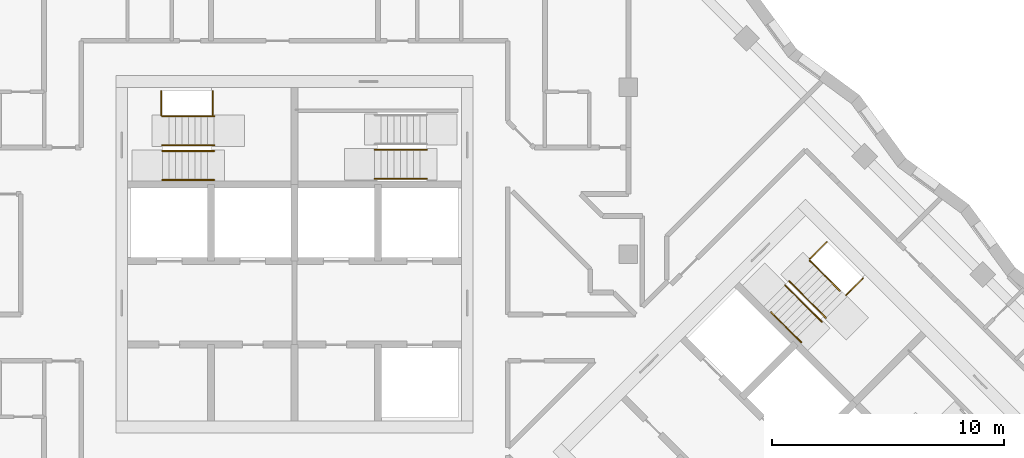
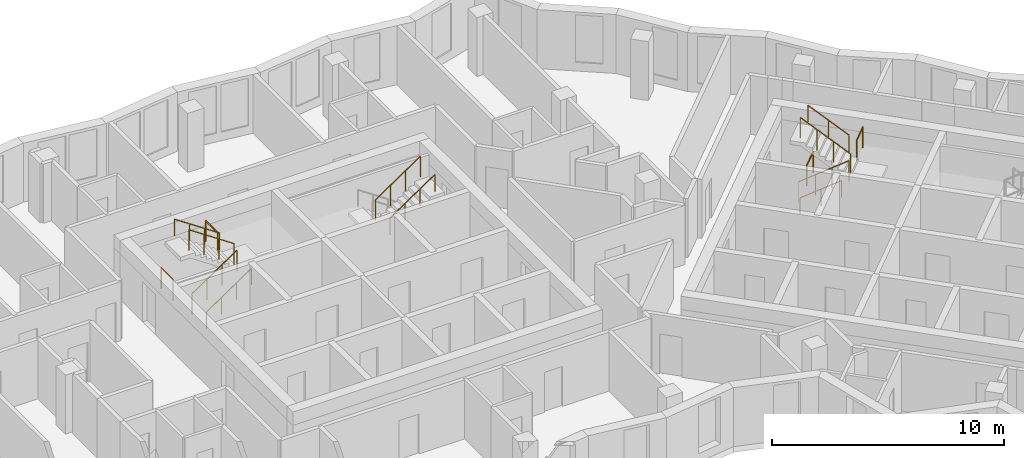
# One storey, part 10 of 12: 14 railings.
"""IFC4 building model written with IfcOpenShell, lengths in metres."""

from ifc_helpers import new_model, si_unit, direction, frame, origin, origin_2d, place, context, subcontext, project, spatial, circle, extrude, material, type_object, element, save


model = new_model("IFC4")

# Units and contexts
model_context = context("Model", 3, precision=1e-05, world=origin(), true_north=direction((0.0, 1.0)))
body_context = subcontext(model_context, "Body", "Model", "MODEL_VIEW")
ifc_project = project(units=[si_unit("LENGTHUNIT", "METRE"), si_unit("AREAUNIT", "SQUARE_METRE"), si_unit("VOLUMEUNIT", "CUBIC_METRE"), si_unit("PLANEANGLEUNIT", "RADIAN"), si_unit("MASSUNIT", "GRAM", prefix="KILO")], contexts=[model_context])

# Site, building, storey
site_placement = place(None, origin())
site = spatial("IfcSite", under=ifc_project, at=site_placement, CompositionType="ELEMENT")
building_placement = place(site_placement, origin())
building = spatial("IfcBuilding", under=site, at=building_placement, Name="Windrow Commons", CompositionType="ELEMENT")
storey_placement = place(building_placement, frame((0.0, 0.0, 213.4)))
storey = spatial("IfcBuildingStorey", under=building, at=storey_placement, Name="L58", CompositionType="ELEMENT", Elevation=213.4)

# Railings
ifc_material_1 = material(Name="Steel S355", Category="steel")
railing_type_1 = type_object("IfcRailingType", Name="Core stair guard 1100", PredefinedType="GUARDRAIL", material=ifc_material_1)
railing_1_placement = place(storey_placement, frame((59.1, 62.05, 0.1889)))
element("IfcRailing", 1, at=railing_1_placement, inside=storey, type_object=railing_type_1, Name="L58 ST-A1 stair guard 1", PredefinedType="GUARDRAIL", context=body_context, shape_type="SweptSolid", body=[
    extrude(circle(Radius=0.024, at=origin_2d()), frame((0.0, 0.0, 1.076), z_axis=(0.8290030985, 0.0, 0.5592440099), x_axis=(0.0, 1.0, 0.0)), (0.0, 0.0, 1.0), 2.702),
    extrude(circle(Radius=0.021, at=origin_2d()), origin(), (0.0, 0.0, 1.0), 1.052),
    extrude(circle(Radius=0.021, at=origin_2d()), frame((0.7467, 0.0, 0.5037)), (0.0, 0.0, 1.0), 1.052),
    extrude(circle(Radius=0.021, at=origin_2d()), frame((1.4933, 0.0, 1.0074)), (0.0, 0.0, 1.0), 1.052),
    extrude(circle(Radius=0.021, at=origin_2d()), frame((2.24, 0.0, 1.5111)), (0.0, 0.0, 1.0), 1.052),
])
railing_2_placement = place(storey_placement, frame((61.34, 62.3, 1.8889)))
element("IfcRailing", 2, at=railing_2_placement, inside=storey, type_object=railing_type_1, Name="L58 ST-A1 stair guard 2", PredefinedType="GUARDRAIL", context=body_context, shape_type="SweptSolid", body=[
    extrude(circle(Radius=0.024, at=origin_2d()), frame((0.0, 0.0, 1.076), z_axis=(-0.8290030985, 0.0, 0.5592440099), x_axis=(0.0, -1.0, 0.0)), (0.0, 0.0, 1.0), 2.702),
    extrude(circle(Radius=0.021, at=origin_2d()), origin(), (0.0, 0.0, 1.0), 1.052),
    extrude(circle(Radius=0.021, at=origin_2d()), frame((-0.7467, 0.0, 0.5037)), (0.0, 0.0, 1.0), 1.052),
    extrude(circle(Radius=0.021, at=origin_2d()), frame((-1.4933, 0.0, 1.0074)), (0.0, 0.0, 1.0), 1.052),
    extrude(circle(Radius=0.021, at=origin_2d()), frame((-2.24, 0.0, 1.5111)), (0.0, 0.0, 1.0), 1.052),
])
for number, where, name in (
    (3, (59.05, 63.6, 0.0), "L58 ST-A1 stair guard 3"),
    (4, (61.27, 63.6, 1.7), "L58 ST-A1 stair guard 4"),
):
    element("IfcRailing", number, at=place(storey_placement, frame(where)), inside=storey, type_object=railing_type_1, Name=name, PredefinedType="GUARDRAIL", context=body_context, shape_type="SweptSolid", body=[
        extrude(circle(Radius=0.024, at=origin_2d()), frame((0.0, 0.0, 1.076), z_axis=(0.0, 1.0, 0.0), x_axis=(-1.0, 0.0, 0.0)), (0.0, 0.0, 1.0), 1.03),
        extrude(circle(Radius=0.021, at=origin_2d()), origin(), (0.0, 0.0, 1.0), 1.052),
        extrude(circle(Radius=0.021, at=origin_2d()), frame((0.0, 1.03, 0.0)), (0.0, 0.0, 1.0), 1.052),
    ])
railing_3_placement = place(storey_placement, frame((68.26, 62.105, 1.8889)))
element("IfcRailing", 5, at=railing_3_placement, inside=storey, type_object=railing_type_1, Name="L58 ST-A2 stair guard 2", PredefinedType="GUARDRAIL", context=body_context, shape_type="SweptSolid", body=[
    extrude(circle(Radius=0.024, at=origin_2d()), frame((0.0, 0.0, 1.076), z_axis=(0.8290030985, 0.0, 0.5592440099), x_axis=(0.0, 1.0, 0.0)), (0.0, 0.0, 1.0), 2.702),
    extrude(circle(Radius=0.021, at=origin_2d()), origin(), (0.0, 0.0, 1.0), 1.052),
    extrude(circle(Radius=0.021, at=origin_2d()), frame((0.7467, 0.0, 0.5037)), (0.0, 0.0, 1.0), 1.052),
    extrude(circle(Radius=0.021, at=origin_2d()), frame((1.4933, 0.0, 1.0074)), (0.0, 0.0, 1.0), 1.052),
    extrude(circle(Radius=0.021, at=origin_2d()), frame((2.24, 0.0, 1.5111)), (0.0, 0.0, 1.0), 1.052),
])
railing_4_placement = place(storey_placement, frame((85.9529, 56.2669, 0.1889)))
element("IfcRailing", 6, at=railing_4_placement, inside=storey, type_object=railing_type_1, Name="L58 ST-B1 stair guard 1", PredefinedType="GUARDRAIL", context=body_context, shape_type="SweptSolid", body=[
    extrude(circle(Radius=0.024, at=origin_2d()), frame((0.0, 0.0, 1.076), z_axis=(0.5861914914, -0.5861914914, 0.5592486664), x_axis=(0.7071067812, 0.7071067812, 0.0)), (0.0, 0.0, 1.0), 2.702),
    extrude(circle(Radius=0.021, at=origin_2d()), origin(), (0.0, 0.0, 1.0), 1.052),
    extrude(circle(Radius=0.021, at=origin_2d()), frame((0.528, -0.528, 0.5037)), (0.0, 0.0, 1.0), 1.052),
    extrude(circle(Radius=0.021, at=origin_2d()), frame((1.0559, -1.0559, 1.0074)), (0.0, 0.0, 1.0), 1.052),
    extrude(circle(Radius=0.021, at=origin_2d()), frame((1.5839, -1.5839, 1.5111)), (0.0, 0.0, 1.0), 1.052),
])
railing_5_placement = place(storey_placement, frame((87.7136, 54.8597, 1.8889)))
element("IfcRailing", 7, at=railing_5_placement, inside=storey, type_object=railing_type_1, Name="L58 ST-B1 stair guard 2", PredefinedType="GUARDRAIL", context=body_context, shape_type="SweptSolid", body=[
    extrude(circle(Radius=0.024, at=origin_2d()), frame((0.0, 0.0, 1.076), z_axis=(-0.5862030657, 0.5862030657, 0.5592244018), x_axis=(-0.7071067812, -0.7071067812, 0.0)), (0.0, 0.0, 1.0), 2.7021),
    extrude(circle(Radius=0.021, at=origin_2d()), origin(), (0.0, 0.0, 1.0), 1.052),
    extrude(circle(Radius=0.021, at=origin_2d()), frame((-0.528, 0.528, 0.5037)), (0.0, 0.0, 1.0), 1.052),
    extrude(circle(Radius=0.021, at=origin_2d()), frame((-1.056, 1.056, 1.0074)), (0.0, 0.0, 1.0), 1.052),
    extrude(circle(Radius=0.021, at=origin_2d()), frame((-1.584, 1.584, 1.5111)), (0.0, 0.0, 1.0), 1.052),
])
railing_6_placement = place(storey_placement, frame((87.0135, 57.3982, 0.0)))
element("IfcRailing", 8, at=railing_6_placement, inside=storey, type_object=railing_type_1, Name="L58 ST-B1 stair guard 3", PredefinedType="GUARDRAIL", context=body_context, shape_type="SweptSolid", body=[
    extrude(circle(Radius=0.024, at=origin_2d()), frame((0.0, 0.0, 1.076), z_axis=(0.7070582378, 0.7071553212, 0.0), x_axis=(-0.7071553212, 0.7070582378, 0.0)), (0.0, 0.0, 1.0), 1.03),
    extrude(circle(Radius=0.021, at=origin_2d()), origin(), (0.0, 0.0, 1.0), 1.052),
    extrude(circle(Radius=0.021, at=origin_2d()), frame((0.7283, 0.7284, 0.0)), (0.0, 0.0, 1.0), 1.052),
])
railing_7_placement = place(storey_placement, frame((88.5833, 55.8285, 1.7)))
element("IfcRailing", 9, at=railing_7_placement, inside=storey, type_object=railing_type_1, Name="L58 ST-B1 stair guard 4", PredefinedType="GUARDRAIL", context=body_context, shape_type="SweptSolid", body=[
    extrude(circle(Radius=0.024, at=origin_2d()), frame((0.0, 0.0, 1.076), z_axis=(0.7071067812, 0.7071067812, 0.0), x_axis=(-0.7071067812, 0.7071067812, 0.0)), (0.0, 0.0, 1.0), 1.03),
    extrude(circle(Radius=0.021, at=origin_2d()), origin(), (0.0, 0.0, 1.0), 1.052),
    extrude(circle(Radius=0.021, at=origin_2d()), frame((0.7283, 0.7283, 0.0)), (0.0, 0.0, 1.0), 1.052),
])
ifc_material_2 = material(Name="Steel S355", Category="steel")
railing_type_2 = type_object("IfcRailingType", Name="Core stair handrail 900", PredefinedType="HANDRAIL", material=ifc_material_2)
railing_8_placement = place(storey_placement, frame((59.1, 60.8, 0.1889)))
element("IfcRailing", 10, at=railing_8_placement, inside=storey, type_object=railing_type_2, Name="L58 ST-A1 stair handrail 1", PredefinedType="HANDRAIL", context=body_context, shape_type="SweptSolid", body=[
    extrude(circle(Radius=0.024, at=origin_2d()), frame((0.0, 0.0, 0.876), z_axis=(0.8290030985, 0.0, 0.5592440099), x_axis=(0.0, 1.0, 0.0)), (0.0, 0.0, 1.0), 2.702),
    extrude(circle(Radius=0.021, at=origin_2d()), origin(), (0.0, 0.0, 1.0), 0.852),
    extrude(circle(Radius=0.021, at=origin_2d()), frame((0.7467, 0.0, 0.5037)), (0.0, 0.0, 1.0), 0.852),
    extrude(circle(Radius=0.021, at=origin_2d()), frame((1.4933, 0.0, 1.0074)), (0.0, 0.0, 1.0), 0.852),
    extrude(circle(Radius=0.021, at=origin_2d()), frame((2.24, 0.0, 1.5111)), (0.0, 0.0, 1.0), 0.852),
])
railing_9_placement = place(storey_placement, frame((61.34, 63.55, 1.8889)))
element("IfcRailing", 11, at=railing_9_placement, inside=storey, type_object=railing_type_2, Name="L58 ST-A1 stair handrail 2", PredefinedType="HANDRAIL", context=body_context, shape_type="SweptSolid", body=[
    extrude(circle(Radius=0.024, at=origin_2d()), frame((0.0, 0.0, 0.876), z_axis=(-0.8290030985, 0.0, 0.5592440099), x_axis=(0.0, -1.0, 0.0)), (0.0, 0.0, 1.0), 2.702),
    extrude(circle(Radius=0.021, at=origin_2d()), origin(), (0.0, 0.0, 1.0), 0.852),
    extrude(circle(Radius=0.021, at=origin_2d()), frame((-0.7467, 0.0, 0.5037)), (0.0, 0.0, 1.0), 0.852),
    extrude(circle(Radius=0.021, at=origin_2d()), frame((-1.4933, 0.0, 1.0074)), (0.0, 0.0, 1.0), 0.852),
    extrude(circle(Radius=0.021, at=origin_2d()), frame((-2.24, 0.0, 1.5111)), (0.0, 0.0, 1.0), 0.852),
])
railing_10_placement = place(storey_placement, frame((68.26, 60.855, 1.8889)))
element("IfcRailing", 12, at=railing_10_placement, inside=storey, type_object=railing_type_2, Name="L58 ST-A2 stair handrail 2", PredefinedType="HANDRAIL", context=body_context, shape_type="SweptSolid", body=[
    extrude(circle(Radius=0.024, at=origin_2d()), frame((0.0, 0.0, 0.876), z_axis=(0.8290030985, 0.0, 0.5592440099), x_axis=(0.0, 1.0, 0.0)), (0.0, 0.0, 1.0), 2.702),
    extrude(circle(Radius=0.021, at=origin_2d()), origin(), (0.0, 0.0, 1.0), 0.852),
    extrude(circle(Radius=0.021, at=origin_2d()), frame((0.7467, 0.0, 0.5037)), (0.0, 0.0, 1.0), 0.852),
    extrude(circle(Radius=0.021, at=origin_2d()), frame((1.4933, 0.0, 1.0074)), (0.0, 0.0, 1.0), 0.852),
    extrude(circle(Radius=0.021, at=origin_2d()), frame((2.24, 0.0, 1.5111)), (0.0, 0.0, 1.0), 0.852),
])
railing_11_placement = place(storey_placement, frame((85.3518, 55.1001, 0.4587)))
element("IfcRailing", 13, at=railing_11_placement, inside=storey, type_object=railing_type_2, Name="L58 ST-B1 stair handrail 1", PredefinedType="HANDRAIL", context=body_context, shape_type="SweptSolid", body=[
    extrude(circle(Radius=0.024, at=origin_2d()), frame((0.0, 0.0, 0.876), z_axis=(0.586206706, -0.5861616513, 0.5592639952), x_axis=(0.7070796062, 0.7071339551, 0.0)), (0.0, 0.0, 1.0), 2.2195),
    extrude(circle(Radius=0.021, at=origin_2d()), origin(), (0.0, 0.0, 1.0), 0.852),
    extrude(circle(Radius=0.021, at=origin_2d()), frame((0.6506, -0.6505, 0.6206)), (0.0, 0.0, 1.0), 0.852),
    extrude(circle(Radius=0.021, at=origin_2d()), frame((1.3011, -1.301, 1.2413)), (0.0, 0.0, 1.0), 0.852),
])
railing_12_placement = place(storey_placement, frame((88.3146, 56.0265, 2.1587)))
element("IfcRailing", 14, at=railing_12_placement, inside=storey, type_object=railing_type_2, Name="L58 ST-B1 stair handrail 2", PredefinedType="HANDRAIL", context=body_context, shape_type="SweptSolid", body=[
    extrude(circle(Radius=0.024, at=origin_2d()), frame((0.0, 0.0, 0.876), z_axis=(-0.586206706, 0.5861616513, 0.5592639952), x_axis=(-0.7070796062, -0.7071339551, 0.0)), (0.0, 0.0, 1.0), 2.2195),
    extrude(circle(Radius=0.021, at=origin_2d()), origin(), (0.0, 0.0, 1.0), 0.852),
    extrude(circle(Radius=0.021, at=origin_2d()), frame((-0.6506, 0.6505, 0.6207)), (0.0, 0.0, 1.0), 0.852),
    extrude(circle(Radius=0.021, at=origin_2d()), frame((-1.3011, 1.301, 1.2413)), (0.0, 0.0, 1.0), 0.852),
])

save(model, "model.ifc")
